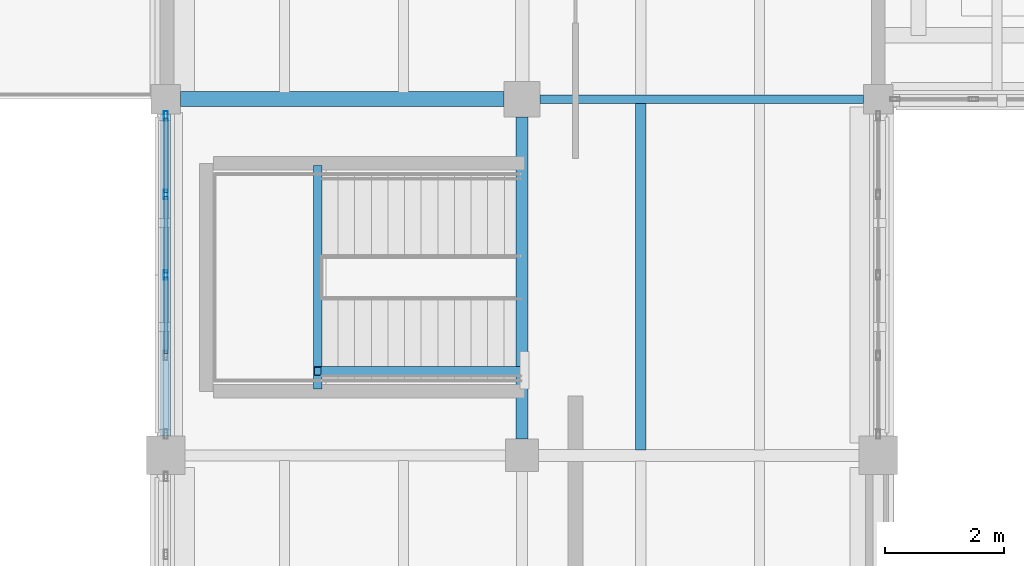
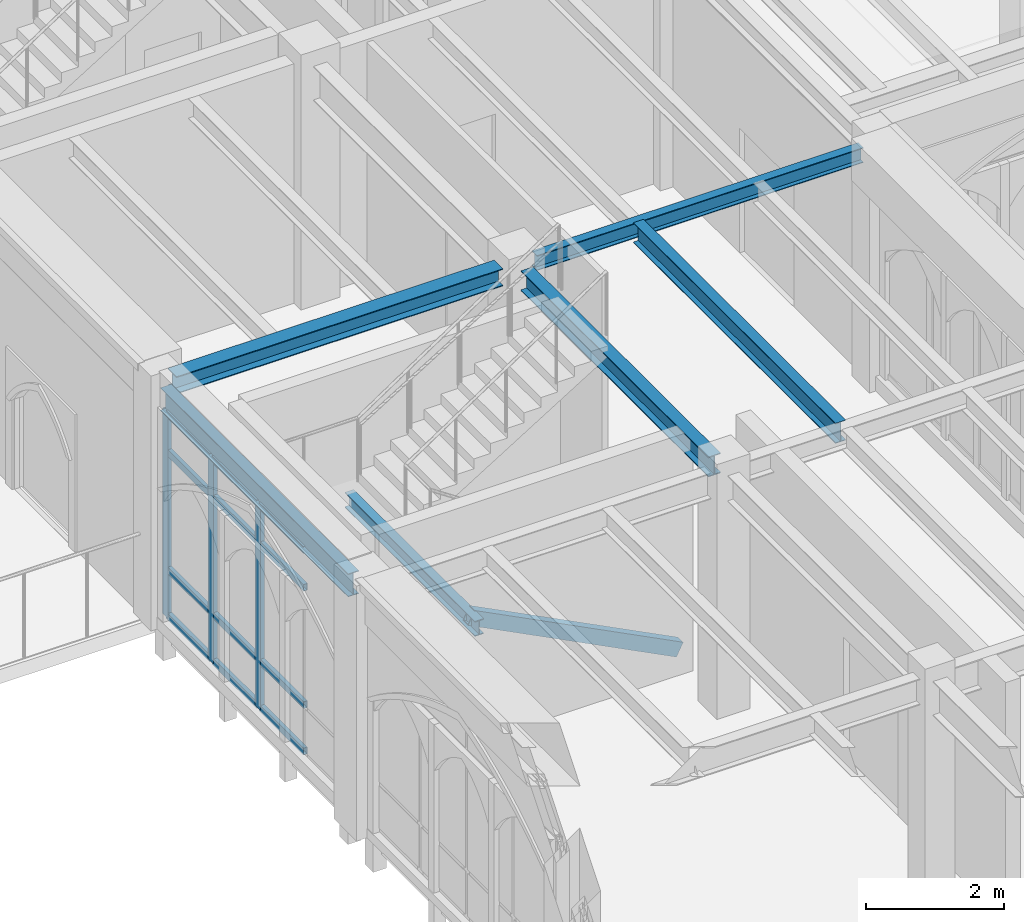
# One storey, part 22 of 127: 16 members, 6 beams, 1 element without a shape of its own.
"""IFC4 building model written with IfcOpenShell, lengths in metres."""

from ifc_helpers import new_model, si_unit, direction, frame, origin, origin_2d, place, context, subcontext, project, spatial, hollow_rectangle, i_section, extrude, material, layer, layer_set, material_profile, profile_set, type_object, element, aggregate, save


model = new_model("IFC4")

# Units and contexts
model_context = context("Model", 3, precision=1e-05, world=origin(), true_north=direction((0.0, 1.0)))
body_context = subcontext(model_context, "Body", "Model", "MODEL_VIEW")
ifc_project = project(units=[si_unit("LENGTHUNIT", "METRE"), si_unit("AREAUNIT", "SQUARE_METRE"), si_unit("VOLUMEUNIT", "CUBIC_METRE"), si_unit("PLANEANGLEUNIT", "RADIAN"), si_unit("MASSUNIT", "GRAM", prefix="KILO")], contexts=[model_context])

# Site, building, storey
site_placement = place(None, origin())
site = spatial("IfcSite", under=ifc_project, at=site_placement, CompositionType="ELEMENT")
building_placement = place(site_placement, origin())
building = spatial("IfcBuilding", under=site, at=building_placement, Name="Cumevento Cable Car Station", CompositionType="ELEMENT")
storey_placement = place(building_placement, frame((0.0, 0.0, 4.5)))
storey = spatial("IfcBuildingStorey", under=building, at=storey_placement, Name="L02", CompositionType="ELEMENT", Elevation=4.5)

# Curtain wall, members
ifc_material_1 = material(Name="Anodised Bronze Aluminium AW-6063-T6", Category="aluminium")
ifc_layer = layer(ifc_material_1, 0.214111328125)
ifc_layer_set = layer_set([ifc_layer], Name="Anodised Bronze Aluminium AW-6063-T6")
curtain_wall_type = type_object("IfcCurtainWallType", Name="Lancet Curtain Wall CW-10 1410", PredefinedType="NOTDEFINED", material=ifc_layer_set)
curtain_wall_placement = place(storey_placement, origin())
curtain_wall = element("IfcCurtainWall", 1, at=curtain_wall_placement, inside=storey, type_object=curtain_wall_type, Name="Lancet Curtain Wall CW-10 L02 #41", PredefinedType="NOTDEFINED")
ifc_material_2 = material(Name="Anodised Bronze Aluminium AW-6063-T6", Category="aluminium")
ifc_material_profile_1 = material_profile(ifc_material_2, hollow_rectangle(XDim=0.06494140625, YDim=0.159912109375, WallThickness=0.00390625, at=origin_2d()), Name="ALUM65x160x4")
ifc_profile_set_1 = profile_set([ifc_material_profile_1], Name="Anodised Bronze Aluminium AW-6063-T6")
member_type_1 = type_object("IfcMemberType", Name="Curtain Mullion CWM-01 ALUM65x160x4", PredefinedType="MULLION", material=ifc_profile_set_1)
member_1_placement = place(storey_placement, frame((58.0, 30.03759765625, 0.2099609375), z_axis=(0.0, 0.0, 1.0), x_axis=(-1.0, 0.0, 0.0)))
member_1 = element("IfcMember", 2, at=member_1_placement, type_object=member_type_1, Name="CW-10 mullion 3", PredefinedType="MULLION", context=body_context, shape_type="SweptSolid", body=[
    extrude(hollow_rectangle(XDim=0.06494140625, YDim=0.159912109375, WallThickness=0.00390625, at=origin_2d()), origin(), (0.0, 0.0, 1.0), 3.623046875),
])
member_2_placement = place(storey_placement, frame((58.0, 31.393798828125, 0.2099609375), z_axis=(0.0, 0.0, 1.0), x_axis=(-1.0, 0.0, 0.0)))
member_2 = element("IfcMember", 3, at=member_2_placement, type_object=member_type_1, Name="CW-10 mullion 4", PredefinedType="MULLION", context=body_context, shape_type="SweptSolid", body=[
    extrude(hollow_rectangle(XDim=0.06494140625, YDim=0.159912109375, WallThickness=0.00390625, at=origin_2d()), origin(), (0.0, 0.0, 1.0), 3.623046875),
])
member_3_placement = place(storey_placement, frame((58.0, 32.717529296875, 0.2099609375), z_axis=(0.0, 0.0, 1.0), x_axis=(-1.0, 0.0, 0.0)))
member_3 = element("IfcMember", 4, at=member_3_placement, type_object=member_type_1, Name="CW-10 mullion 5", PredefinedType="MULLION", context=body_context, shape_type="SweptSolid", body=[
    extrude(hollow_rectangle(XDim=0.06494140625, YDim=0.159912109375, WallThickness=0.00390625, at=origin_2d()), origin(), (0.0, 0.0, 1.0), 3.623046875),
])
ifc_material_3 = material(Name="Anodised Bronze Aluminium AW-6063-T6", Category="aluminium")
ifc_material_profile_2 = material_profile(ifc_material_3, hollow_rectangle(XDim=0.06494140625, YDim=0.1201171875, WallThickness=0.00390625, at=origin_2d()), Name="ALUT65x120x4")
ifc_profile_set_2 = profile_set([ifc_material_profile_2], Name="Anodised Bronze Aluminium AW-6063-T6")
member_type_2 = type_object("IfcMemberType", Name="Curtain Transom CWT-01 ALUT65x120x4", PredefinedType="USERDEFINED", material=ifc_profile_set_2)
member_4_placement = place(storey_placement, frame((58.0, 28.7138671875, 0.242431640625), z_axis=(0.0, 1.0, 0.0), x_axis=(-1.0, 0.0, 0.0)))
member_4 = element("IfcMember", 5, at=member_4_placement, type_object=member_type_2, Name="CW-10 transom 2.1", ObjectType="TRANSOM", PredefinedType="USERDEFINED", context=body_context, shape_type="SweptSolid", body=[
    extrude(hollow_rectangle(XDim=0.06494140625, YDim=0.1201171875, WallThickness=0.00390625, at=origin_2d()), origin(), (0.0, 0.0, 1.0), 1.291015625),
])
member_5_placement = place(storey_placement, frame((58.0, 28.7138671875, 1.06005859375), z_axis=(0.0, 1.0, 0.0), x_axis=(-1.0, 0.0, 0.0)))
member_5 = element("IfcMember", 6, at=member_5_placement, type_object=member_type_2, Name="CW-10 transom 2.2", ObjectType="TRANSOM", PredefinedType="USERDEFINED", context=body_context, shape_type="SweptSolid", body=[
    extrude(hollow_rectangle(XDim=0.06494140625, YDim=0.1201171875, WallThickness=0.00390625, at=origin_2d()), origin(), (0.0, 0.0, 1.0), 1.291015625),
])
member_6_placement = place(storey_placement, frame((58.0, 28.7138671875, 3.133056640625), z_axis=(0.0, 1.0, 0.0), x_axis=(-1.0, 0.0, 0.0)))
member_6 = element("IfcMember", 7, at=member_6_placement, type_object=member_type_2, Name="CW-10 transom 2.3", ObjectType="TRANSOM", PredefinedType="USERDEFINED", context=body_context, shape_type="SweptSolid", body=[
    extrude(hollow_rectangle(XDim=0.06494140625, YDim=0.1201171875, WallThickness=0.00390625, at=origin_2d()), origin(), (0.0, 0.0, 1.0), 1.291015625),
])
member_7_placement = place(storey_placement, frame((58.0, 28.7138671875, 3.800537109375), z_axis=(0.0, 1.0, 0.0), x_axis=(-1.0, 0.0, 0.0)))
member_7 = element("IfcMember", 8, at=member_7_placement, type_object=member_type_2, Name="CW-10 transom 2.4", ObjectType="TRANSOM", PredefinedType="USERDEFINED", context=body_context, shape_type="SweptSolid", body=[
    extrude(hollow_rectangle(XDim=0.06494140625, YDim=0.1201171875, WallThickness=0.00390625, at=origin_2d()), origin(), (0.0, 0.0, 1.0), 1.291015625),
])
member_8_placement = place(storey_placement, frame((58.0, 30.070068359375, 0.242431640625), z_axis=(0.0, 1.0, 0.0), x_axis=(-1.0, 0.0, 0.0)))
member_8 = element("IfcMember", 9, at=member_8_placement, type_object=member_type_2, Name="CW-10 transom 3.1", ObjectType="TRANSOM", PredefinedType="USERDEFINED", context=body_context, shape_type="SweptSolid", body=[
    extrude(hollow_rectangle(XDim=0.06494140625, YDim=0.1201171875, WallThickness=0.00390625, at=origin_2d()), origin(), (0.0, 0.0, 1.0), 1.291259765625),
])
member_9_placement = place(storey_placement, frame((58.0, 30.070068359375, 1.06005859375), z_axis=(0.0, 1.0, 0.0), x_axis=(-1.0, 0.0, 0.0)))
member_9 = element("IfcMember", 10, at=member_9_placement, type_object=member_type_2, Name="CW-10 transom 3.2", ObjectType="TRANSOM", PredefinedType="USERDEFINED", context=body_context, shape_type="SweptSolid", body=[
    extrude(hollow_rectangle(XDim=0.06494140625, YDim=0.1201171875, WallThickness=0.00390625, at=origin_2d()), origin(), (0.0, 0.0, 1.0), 1.291259765625),
])
member_10_placement = place(storey_placement, frame((58.0, 30.070068359375, 3.133056640625), z_axis=(0.0, 1.0, 0.0), x_axis=(-1.0, 0.0, 0.0)))
member_10 = element("IfcMember", 11, at=member_10_placement, type_object=member_type_2, Name="CW-10 transom 3.3", ObjectType="TRANSOM", PredefinedType="USERDEFINED", context=body_context, shape_type="SweptSolid", body=[
    extrude(hollow_rectangle(XDim=0.06494140625, YDim=0.1201171875, WallThickness=0.00390625, at=origin_2d()), origin(), (0.0, 0.0, 1.0), 1.291259765625),
])
member_11_placement = place(storey_placement, frame((58.0, 30.070068359375, 3.800537109375), z_axis=(0.0, 1.0, 0.0), x_axis=(-1.0, 0.0, 0.0)))
member_11 = element("IfcMember", 12, at=member_11_placement, type_object=member_type_2, Name="CW-10 transom 3.4", ObjectType="TRANSOM", PredefinedType="USERDEFINED", context=body_context, shape_type="SweptSolid", body=[
    extrude(hollow_rectangle(XDim=0.06494140625, YDim=0.1201171875, WallThickness=0.00390625, at=origin_2d()), origin(), (0.0, 0.0, 1.0), 1.291259765625),
])
member_12_placement = place(storey_placement, frame((58.0, 31.42626953125, 0.242431640625), z_axis=(0.0, 1.0, 0.0), x_axis=(-1.0, 0.0, 0.0)))
member_12 = element("IfcMember", 13, at=member_12_placement, type_object=member_type_2, Name="CW-10 transom 4.1", ObjectType="TRANSOM", PredefinedType="USERDEFINED", context=body_context, shape_type="SweptSolid", body=[
    extrude(hollow_rectangle(XDim=0.06494140625, YDim=0.1201171875, WallThickness=0.00390625, at=origin_2d()), origin(), (0.0, 0.0, 1.0), 1.2587890625),
])
member_13_placement = place(storey_placement, frame((58.0, 31.42626953125, 1.06005859375), z_axis=(0.0, 1.0, 0.0), x_axis=(-1.0, 0.0, 0.0)))
member_13 = element("IfcMember", 14, at=member_13_placement, type_object=member_type_2, Name="CW-10 transom 4.2", ObjectType="TRANSOM", PredefinedType="USERDEFINED", context=body_context, shape_type="SweptSolid", body=[
    extrude(hollow_rectangle(XDim=0.06494140625, YDim=0.1201171875, WallThickness=0.00390625, at=origin_2d()), origin(), (0.0, 0.0, 1.0), 1.2587890625),
])
member_14_placement = place(storey_placement, frame((58.0, 31.42626953125, 3.133056640625), z_axis=(0.0, 1.0, 0.0), x_axis=(-1.0, 0.0, 0.0)))
member_14 = element("IfcMember", 15, at=member_14_placement, type_object=member_type_2, Name="CW-10 transom 4.3", ObjectType="TRANSOM", PredefinedType="USERDEFINED", context=body_context, shape_type="SweptSolid", body=[
    extrude(hollow_rectangle(XDim=0.06494140625, YDim=0.1201171875, WallThickness=0.00390625, at=origin_2d()), origin(), (0.0, 0.0, 1.0), 1.2587890625),
])
member_15_placement = place(storey_placement, frame((58.0, 31.42626953125, 3.800537109375), z_axis=(0.0, 1.0, 0.0), x_axis=(-1.0, 0.0, 0.0)))
member_15 = element("IfcMember", 16, at=member_15_placement, type_object=member_type_2, Name="CW-10 transom 4.4", ObjectType="TRANSOM", PredefinedType="USERDEFINED", context=body_context, shape_type="SweptSolid", body=[
    extrude(hollow_rectangle(XDim=0.06494140625, YDim=0.1201171875, WallThickness=0.00390625, at=origin_2d()), origin(), (0.0, 0.0, 1.0), 1.2587890625),
])
aggregate(curtain_wall, [member_1, member_2, member_3, member_4, member_5, member_6, member_7, member_8, member_9, member_10, member_11, member_12, member_13, member_14, member_15])

# Member
ifc_material_4 = material(Name="Steel ASTM A572 Grade 50", Category="steel")
ifc_material_profile_3 = material_profile(ifc_material_4, hollow_rectangle(XDim=0.14990234375, YDim=0.25, WallThickness=0.010009765625, at=origin_2d()), Name="HSS250x150x10.0")
ifc_profile_set_3 = profile_set([ifc_material_profile_3], Name="Steel ASTM A572 Grade 50")
member_type_3 = type_object("IfcMemberType", Name="Framing Stringer SR-01 HSS250x150x10.0", PredefinedType="STRINGER", material=ifc_profile_set_3)
member_16_placement = place(storey_placement, frame((64.0400390625, 28.419921875, 0.139892578125), z_axis=(-0.890393613263, 0.0, 0.455191403104), x_axis=(0.0, -1.0, 0.0)))
element("IfcMember", 17, at=member_16_placement, inside=storey, type_object=member_type_3, Name="Stair Steel Stringer ST-10 #448", PredefinedType="STRINGER", context=body_context, shape_type="SweptSolid", body=[
    extrude(hollow_rectangle(XDim=0.14990234375, YDim=0.25, WallThickness=0.010009765625, at=origin_2d()), origin(), (0.0, 0.0, 1.0), 3.908447265625),
])

# Beams
ifc_material_5 = material(Name="Steel ASTM A572 Grade 50", Category="steel")
ifc_material_profile_4 = material_profile(ifc_material_5, i_section(OverallWidth=0.205078125, OverallDepth=0.35400390625, WebThickness=0.009521484375, FlangeThickness=0.016845703125, at=origin_2d()), Name="W360x79.0")
ifc_profile_set_4 = profile_set([ifc_material_profile_4], Name="Steel ASTM A572 Grade 50")
beam_type_1 = type_object("IfcBeamType", Name="Structural Beam BM-05 W360x79.0", PredefinedType="BEAM", material=ifc_profile_set_4)
beam_1_placement = place(storey_placement, frame((64.0, 27.27490234375, 4.06298828125), z_axis=(0.0, 1.0, 0.0), x_axis=(-1.0, 0.0, 0.0)))
element("IfcBeam", 18, at=beam_1_placement, inside=storey, type_object=beam_type_1, Name="Beam BM-05 L02 #495", PredefinedType="BEAM", context=body_context, shape_type="SweptSolid", body=[
    extrude(i_section(OverallWidth=0.205078125, OverallDepth=0.35400390625, WebThickness=0.009521484375, FlangeThickness=0.016845703125, at=origin_2d()), origin(), (0.0, 0.0, 1.0), 5.425048828125),
])
ifc_material_6 = material(Name="Steel ASTM A572 Grade 50", Category="steel")
ifc_material_profile_5 = material_profile(ifc_material_6, i_section(OverallWidth=0.25390625, OverallDepth=0.305908203125, WebThickness=0.0087890625, FlangeThickness=0.0146484375, at=origin_2d()), Name="W310x79.0")
ifc_profile_set_5 = profile_set([ifc_material_profile_5], Name="Steel ASTM A572 Grade 50")
beam_type_2 = type_object("IfcBeamType", Name="Structural Beam BM-06 W310x79.0", PredefinedType="BEAM", material=ifc_profile_set_5)
beam_2_placement = place(storey_placement, frame((58.25, 33.0, 4.0869140625), z_axis=(1.0, 0.0, 0.0), x_axis=(0.0, 1.0, 0.0)))
element("IfcBeam", 19, at=beam_2_placement, inside=storey, type_object=beam_type_2, Name="Beam BM-06 L02 #483", PredefinedType="BEAM", context=body_context, shape_type="SweptSolid", body=[
    extrude(i_section(OverallWidth=0.25390625, OverallDepth=0.305908203125, WebThickness=0.0087890625, FlangeThickness=0.0146484375, at=origin_2d()), origin(), (0.0, 0.0, 1.0), 5.449951171875),
])
ifc_material_7 = material(Name="Steel ASTM A572 Grade 50", Category="steel")
ifc_material_profile_6 = material_profile(ifc_material_7, i_section(OverallWidth=0.14794921875, OverallDepth=0.26611328125, WebThickness=0.007568359375, FlangeThickness=0.012939453125, at=origin_2d()), Name="W250x44.8")
ifc_profile_set_6 = profile_set([ifc_material_profile_6], Name="Steel ASTM A572 Grade 50")
beam_type_3 = type_object("IfcBeamType", Name="Structural Beam BM-07 W250x44.8", PredefinedType="BEAM", material=ifc_profile_set_6)
beam_3_placement = place(storey_placement, frame((64.300048828125, 33.0, 4.094970703125), z_axis=(1.0, 0.0, 0.0), x_axis=(0.0, 1.0, 0.0)))
element("IfcBeam", 20, at=beam_3_placement, inside=storey, type_object=beam_type_3, Name="Beam BM-07 L02 #484", PredefinedType="BEAM", context=body_context, shape_type="SweptSolid", body=[
    extrude(i_section(OverallWidth=0.14794921875, OverallDepth=0.26611328125, WebThickness=0.007568359375, FlangeThickness=0.012939453125, at=origin_2d()), origin(), (0.0, 0.0, 1.0), 5.449951171875),
])
beam_4_placement = place(storey_placement, frame((60.56005859375, 28.1201171875, 1.885986328125), z_axis=(0.0, 1.0, 0.0), x_axis=(-1.0, 0.0, 0.0)))
element("IfcBeam", 21, at=beam_4_placement, inside=storey, type_object=beam_type_3, Name="Stair Half-Landing Trimmer ST-10", PredefinedType="BEAM", context=body_context, shape_type="SweptSolid", body=[
    extrude(i_section(OverallWidth=0.14794921875, OverallDepth=0.26611328125, WebThickness=0.007568359375, FlangeThickness=0.012939453125, at=origin_2d()), origin(), (0.0, 0.0, 1.0), 3.759765625),
])
ifc_material_8 = material(Name="Steel ASTM A572 Grade 50", Category="steel")
ifc_material_profile_7 = material_profile(ifc_material_8, i_section(OverallWidth=0.1708984375, OverallDepth=0.35498046875, WebThickness=0.007080078125, FlangeThickness=0.01171875, at=origin_2d()), Name="W360x51.0")
ifc_profile_set_7 = profile_set([ifc_material_profile_7], Name="Steel ASTM A572 Grade 50")
beam_type_4 = type_object("IfcBeamType", Name="Structural Joist JS-01 W360x51.0", PredefinedType="JOIST", material=ifc_profile_set_7)
beam_5_placement = place(storey_placement, frame((66.0, 27.090576171875, 4.0625), z_axis=(0.0, 1.0, 0.0), x_axis=(-1.0, 0.0, 0.0)))
element("IfcBeam", 22, at=beam_5_placement, inside=storey, type_object=beam_type_4, Name="Composite Floor Joist JS-01 L02 #763", PredefinedType="JOIST", context=body_context, shape_type="SweptSolid", body=[
    extrude(i_section(OverallWidth=0.1708984375, OverallDepth=0.35498046875, WebThickness=0.007080078125, FlangeThickness=0.01171875, at=origin_2d()), origin(), (0.0, 0.0, 1.0), 5.847412109375),
])
ifc_material_9 = material(Name="Steel ASTM A572 Grade 50", Category="steel")
ifc_material_profile_8 = material_profile(ifc_material_9, i_section(OverallWidth=0.177978515625, OverallDepth=0.406982421875, WebThickness=0.0078125, FlangeThickness=0.0126953125, at=origin_2d()), Name="W410x60.0")
ifc_profile_set_8 = profile_set([ifc_material_profile_8], Name="Steel ASTM A572 Grade 50")
beam_type_5 = type_object("IfcBeamType", Name="Structural Spandrel SP-01 W410x60.0", PredefinedType="SPANDREL", material=ifc_profile_set_8)
beam_6_placement = place(storey_placement, frame((58.0, 27.324951171875, 4.03662109375), z_axis=(0.0, 1.0, 0.0), x_axis=(-1.0, 0.0, 0.0)))
element("IfcBeam", 23, at=beam_6_placement, inside=storey, type_object=beam_type_5, Name="Beam SP-01 L02 #490", PredefinedType="SPANDREL", context=body_context, shape_type="SweptSolid", body=[
    extrude(i_section(OverallWidth=0.177978515625, OverallDepth=0.406982421875, WebThickness=0.0078125, FlangeThickness=0.0126953125, at=origin_2d()), origin(), (0.0, 0.0, 1.0), 5.425048828125),
])

save(model, "model.ifc")
